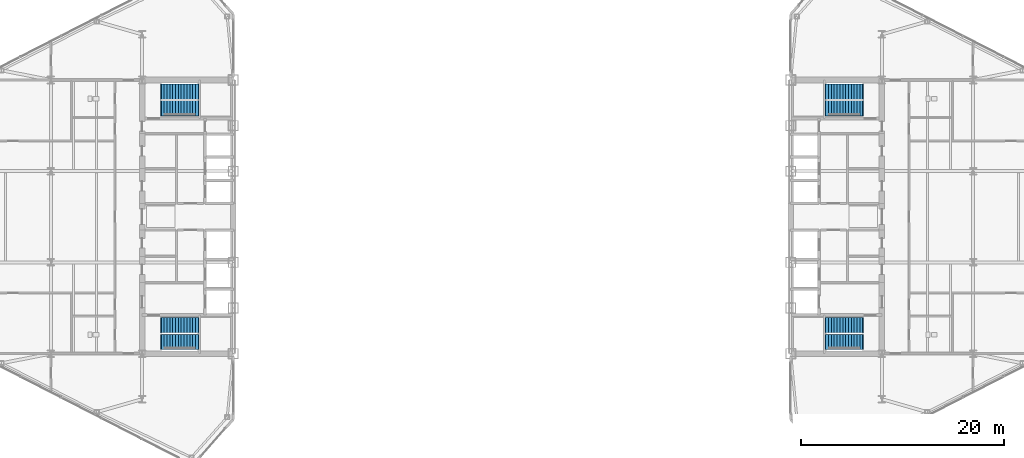
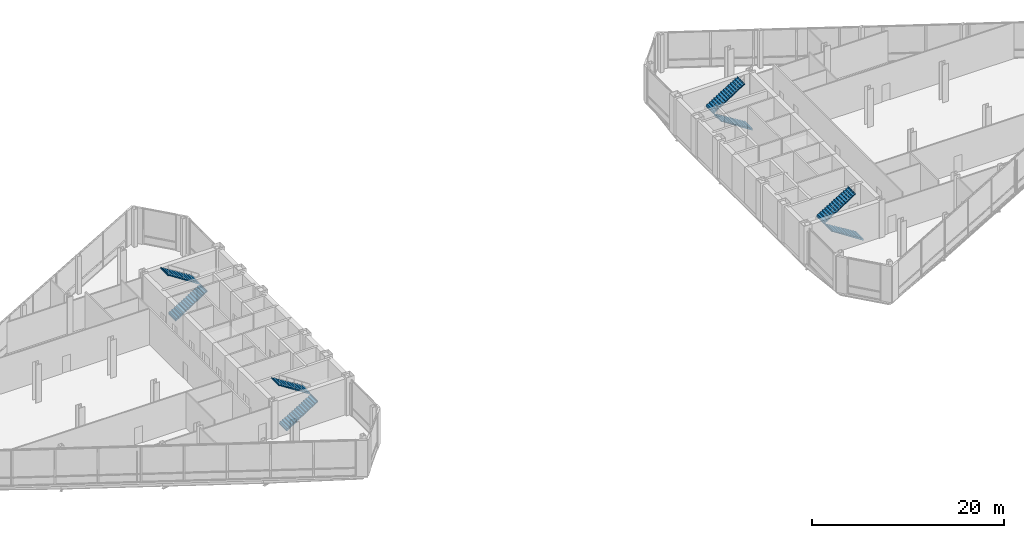
# One storey, part 20 of 22: 8 stair flights, 4 elements without a shape of their own.
"""IFC4 building model written with IfcOpenShell, lengths in metres."""

from ifc_helpers import new_model, si_unit, direction, frame, origin, place, context, subcontext, project, spatial, polyline, outline, extrude, material, type_object, element, aggregate, save


model = new_model("IFC4")

# Units and contexts
model_context = context("Model", 3, precision=1e-05, world=origin(), true_north=direction((0.0, 1.0)))
body_context = subcontext(model_context, "Body", "Model", "MODEL_VIEW")
ifc_project = project(units=[si_unit("LENGTHUNIT", "METRE"), si_unit("AREAUNIT", "SQUARE_METRE"), si_unit("VOLUMEUNIT", "CUBIC_METRE"), si_unit("PLANEANGLEUNIT", "RADIAN"), si_unit("MASSUNIT", "GRAM", prefix="KILO")], contexts=[model_context])

# Site, building, storey
site_placement = place(None, origin())
site = spatial("IfcSite", under=ifc_project, at=site_placement, CompositionType="ELEMENT")
building_placement = place(site_placement, origin())
building = spatial("IfcBuilding", under=site, at=building_placement, Name="Seokmaru Belvedere", CompositionType="ELEMENT")
storey_placement = place(building_placement, frame((0.0, 0.0, 135.60009765625)))
storey = spatial("IfcBuildingStorey", under=building, at=storey_placement, Name="L36", CompositionType="ELEMENT", Elevation=135.60009765625)

# Stair, stair flights
ifc_material = material(Name="Concrete C40 (40 MPa)", Category="concrete")
stair_type = type_object("IfcStairType", Name="Basement Core Dog-Leg Stair 4800", PredefinedType="TWO_STRAIGHT_RUN_STAIR", material=ifc_material)
stair_1_placement = place(storey_placement, origin())
stair_1 = element("IfcStair", 1, at=stair_1_placement, inside=storey, type_object=stair_type, Name="L36 Special Escape Stair ST-W1", PredefinedType="TWO_STRAIGHT_RUN_STAIR")
stair_flight_type = type_object("IfcStairFlightType", Name="Reinforced Concrete Stair Flight 1500", PredefinedType="STRAIGHT", material=ifc_material)
stair_flight_1_placement = place(storey_placement, frame((-34.60009765625, -12.35009765625, 0.0), z_axis=(0.0, 0.0, 1.0), x_axis=(1.0, 0.0, 0.0)))
stair_flight_1 = element("IfcStairFlight", 2, at=stair_flight_1_placement, type_object=stair_flight_type, Name="ST-W1 flight 1", NumberOfRisers=14, NumberOfTreads=13, PredefinedType="STRAIGHT", RiserHeight=0.171428571, TreadLength=0.28, context=body_context, shape_type="SweptSolid", body=[
    extrude(outline(polyline([(-0.080078125, 0.0), (0.0, 0.17138671875), (0.280029296875, 0.17138671875), (0.280029296875, 0.3427734375), (0.56005859375, 0.3427734375), (0.56005859375, 0.514404296875), (0.840087890625, 0.514404296875), (0.840087890625, 0.685791015625), (1.1201171875, 0.685791015625), (1.1201171875, 0.857177734375), (1.39990234375, 0.857177734375), (1.39990234375, 1.028564453125), (1.679931640625, 1.028564453125), (1.679931640625, 1.199951171875), (1.9599609375, 1.199951171875), (1.9599609375, 1.371337890625), (2.239990234375, 1.371337890625), (2.239990234375, 1.54296875), (2.52001953125, 1.54296875), (2.52001953125, 1.71435546875), (2.800048828125, 1.71435546875), (2.800048828125, 1.8857421875), (3.080078125, 1.8857421875), (3.080078125, 2.05712890625), (3.360107421875, 2.05712890625), (3.360107421875, 2.228515625), (3.639892578125, 2.228515625), (3.639892578125, 2.39990234375), (3.719970703125, 2.39990234375), (3.719970703125, 2.2099609375), (3.639892578125, 2.2099609375), (0.0, -0.159912109375), (-0.080078125, -0.159912109375), (-0.080078125, 0.0)])), frame((0.0, 0.75, 0.0), z_axis=(0.0, -1.0, 0.0), x_axis=(1.0, 0.0, 0.0)), (0.0, 0.0, 1.0), 1.5),
])
stair_flight_2_placement = place(storey_placement, frame((-30.9599609375, -10.7099609375, 2.39990234375), z_axis=(0.0, 0.0, 1.0), x_axis=(-1.0, 0.0, 0.0)))
stair_flight_2 = element("IfcStairFlight", 3, at=stair_flight_2_placement, type_object=stair_flight_type, Name="ST-W1 flight 2", NumberOfRisers=14, NumberOfTreads=13, PredefinedType="STRAIGHT", RiserHeight=0.171428571, TreadLength=0.28, context=body_context, shape_type="SweptSolid", body=[
    extrude(outline(polyline([(-0.080078125, 0.0), (0.0, 0.17138671875), (0.280029296875, 0.17138671875), (0.280029296875, 0.3427734375), (0.56005859375, 0.3427734375), (0.56005859375, 0.514404296875), (0.840087890625, 0.514404296875), (0.840087890625, 0.685791015625), (1.1201171875, 0.685791015625), (1.1201171875, 0.857177734375), (1.39990234375, 0.857177734375), (1.39990234375, 1.028564453125), (1.679931640625, 1.028564453125), (1.679931640625, 1.199951171875), (1.9599609375, 1.199951171875), (1.9599609375, 1.371337890625), (2.239990234375, 1.371337890625), (2.239990234375, 1.54296875), (2.52001953125, 1.54296875), (2.52001953125, 1.71435546875), (2.800048828125, 1.71435546875), (2.800048828125, 1.8857421875), (3.080078125, 1.8857421875), (3.080078125, 2.05712890625), (3.360107421875, 2.05712890625), (3.360107421875, 2.228515625), (3.639892578125, 2.228515625), (3.639892578125, 2.39990234375), (3.719970703125, 2.39990234375), (3.719970703125, 2.2099609375), (3.639892578125, 2.2099609375), (0.0, -0.159912109375), (-0.080078125, -0.159912109375), (-0.080078125, 0.0)])), frame((0.0, 0.75, 0.0), z_axis=(0.0, -1.0, 0.0), x_axis=(1.0, 0.0, 0.0)), (0.0, 0.0, 1.0), 1.5),
])
aggregate(stair_1, [stair_flight_1, stair_flight_2])

stair_2_placement = place(storey_placement, origin())
stair_2 = element("IfcStair", 4, at=stair_2_placement, inside=storey, type_object=stair_type, Name="L36 Special Escape Stair ST-W2", PredefinedType="TWO_STRAIGHT_RUN_STAIR")
stair_flight_3_placement = place(storey_placement, frame((-34.60009765625, 10.7099609375, 0.0), z_axis=(0.0, 0.0, 1.0), x_axis=(1.0, 0.0, 0.0)))
stair_flight_3 = element("IfcStairFlight", 5, at=stair_flight_3_placement, type_object=stair_flight_type, Name="ST-W2 flight 1", NumberOfRisers=14, NumberOfTreads=13, PredefinedType="STRAIGHT", RiserHeight=0.171428571, TreadLength=0.28, context=body_context, shape_type="SweptSolid", body=[
    extrude(outline(polyline([(-0.080078125, 0.0), (0.0, 0.17138671875), (0.280029296875, 0.17138671875), (0.280029296875, 0.3427734375), (0.56005859375, 0.3427734375), (0.56005859375, 0.514404296875), (0.840087890625, 0.514404296875), (0.840087890625, 0.685791015625), (1.1201171875, 0.685791015625), (1.1201171875, 0.857177734375), (1.39990234375, 0.857177734375), (1.39990234375, 1.028564453125), (1.679931640625, 1.028564453125), (1.679931640625, 1.199951171875), (1.9599609375, 1.199951171875), (1.9599609375, 1.371337890625), (2.239990234375, 1.371337890625), (2.239990234375, 1.54296875), (2.52001953125, 1.54296875), (2.52001953125, 1.71435546875), (2.800048828125, 1.71435546875), (2.800048828125, 1.8857421875), (3.080078125, 1.8857421875), (3.080078125, 2.05712890625), (3.360107421875, 2.05712890625), (3.360107421875, 2.228515625), (3.639892578125, 2.228515625), (3.639892578125, 2.39990234375), (3.719970703125, 2.39990234375), (3.719970703125, 2.2099609375), (3.639892578125, 2.2099609375), (0.0, -0.159912109375), (-0.080078125, -0.159912109375), (-0.080078125, 0.0)])), frame((0.0, 0.75, 0.0), z_axis=(0.0, -1.0, 0.0), x_axis=(1.0, 0.0, 0.0)), (0.0, 0.0, 1.0), 1.5),
])
stair_flight_4_placement = place(storey_placement, frame((-30.9599609375, 12.35009765625, 2.39990234375), z_axis=(0.0, 0.0, 1.0), x_axis=(-1.0, 0.0, 0.0)))
stair_flight_4 = element("IfcStairFlight", 6, at=stair_flight_4_placement, type_object=stair_flight_type, Name="ST-W2 flight 2", NumberOfRisers=14, NumberOfTreads=13, PredefinedType="STRAIGHT", RiserHeight=0.171428571, TreadLength=0.28, context=body_context, shape_type="SweptSolid", body=[
    extrude(outline(polyline([(-0.080078125, 0.0), (0.0, 0.17138671875), (0.280029296875, 0.17138671875), (0.280029296875, 0.3427734375), (0.56005859375, 0.3427734375), (0.56005859375, 0.514404296875), (0.840087890625, 0.514404296875), (0.840087890625, 0.685791015625), (1.1201171875, 0.685791015625), (1.1201171875, 0.857177734375), (1.39990234375, 0.857177734375), (1.39990234375, 1.028564453125), (1.679931640625, 1.028564453125), (1.679931640625, 1.199951171875), (1.9599609375, 1.199951171875), (1.9599609375, 1.371337890625), (2.239990234375, 1.371337890625), (2.239990234375, 1.54296875), (2.52001953125, 1.54296875), (2.52001953125, 1.71435546875), (2.800048828125, 1.71435546875), (2.800048828125, 1.8857421875), (3.080078125, 1.8857421875), (3.080078125, 2.05712890625), (3.360107421875, 2.05712890625), (3.360107421875, 2.228515625), (3.639892578125, 2.228515625), (3.639892578125, 2.39990234375), (3.719970703125, 2.39990234375), (3.719970703125, 2.2099609375), (3.639892578125, 2.2099609375), (0.0, -0.159912109375), (-0.080078125, -0.159912109375), (-0.080078125, 0.0)])), frame((0.0, 0.75, 0.0), z_axis=(0.0, -1.0, 0.0), x_axis=(1.0, 0.0, 0.0)), (0.0, 0.0, 1.0), 1.5),
])
aggregate(stair_2, [stair_flight_3, stair_flight_4])

stair_3_placement = place(storey_placement, origin())
stair_3 = element("IfcStair", 7, at=stair_3_placement, inside=storey, type_object=stair_type, Name="L36 Special Escape Stair ST-E1", PredefinedType="TWO_STRAIGHT_RUN_STAIR")
stair_flight_5_placement = place(storey_placement, frame((34.60009765625, -12.35009765625, 0.0), z_axis=(0.0, 0.0, 1.0), x_axis=(-1.0, 0.0, 0.0)))
stair_flight_5 = element("IfcStairFlight", 8, at=stair_flight_5_placement, type_object=stair_flight_type, Name="ST-E1 flight 1", NumberOfRisers=14, NumberOfTreads=13, PredefinedType="STRAIGHT", RiserHeight=0.171428571, TreadLength=0.28, context=body_context, shape_type="SweptSolid", body=[
    extrude(outline(polyline([(-0.080078125, 0.0), (0.0, 0.17138671875), (0.280029296875, 0.17138671875), (0.280029296875, 0.3427734375), (0.56005859375, 0.3427734375), (0.56005859375, 0.514404296875), (0.840087890625, 0.514404296875), (0.840087890625, 0.685791015625), (1.1201171875, 0.685791015625), (1.1201171875, 0.857177734375), (1.39990234375, 0.857177734375), (1.39990234375, 1.028564453125), (1.679931640625, 1.028564453125), (1.679931640625, 1.199951171875), (1.9599609375, 1.199951171875), (1.9599609375, 1.371337890625), (2.239990234375, 1.371337890625), (2.239990234375, 1.54296875), (2.52001953125, 1.54296875), (2.52001953125, 1.71435546875), (2.800048828125, 1.71435546875), (2.800048828125, 1.8857421875), (3.080078125, 1.8857421875), (3.080078125, 2.05712890625), (3.360107421875, 2.05712890625), (3.360107421875, 2.228515625), (3.639892578125, 2.228515625), (3.639892578125, 2.39990234375), (3.719970703125, 2.39990234375), (3.719970703125, 2.2099609375), (3.639892578125, 2.2099609375), (0.0, -0.159912109375), (-0.080078125, -0.159912109375), (-0.080078125, 0.0)])), frame((0.0, 0.75, 0.0), z_axis=(0.0, -1.0, 0.0), x_axis=(1.0, 0.0, 0.0)), (0.0, 0.0, 1.0), 1.5),
])
stair_flight_6_placement = place(storey_placement, frame((30.9599609375, -10.7099609375, 2.39990234375), z_axis=(0.0, 0.0, 1.0), x_axis=(1.0, 0.0, 0.0)))
stair_flight_6 = element("IfcStairFlight", 9, at=stair_flight_6_placement, type_object=stair_flight_type, Name="ST-E1 flight 2", NumberOfRisers=14, NumberOfTreads=13, PredefinedType="STRAIGHT", RiserHeight=0.171428571, TreadLength=0.28, context=body_context, shape_type="SweptSolid", body=[
    extrude(outline(polyline([(-0.080078125, 0.0), (0.0, 0.17138671875), (0.280029296875, 0.17138671875), (0.280029296875, 0.3427734375), (0.56005859375, 0.3427734375), (0.56005859375, 0.514404296875), (0.840087890625, 0.514404296875), (0.840087890625, 0.685791015625), (1.1201171875, 0.685791015625), (1.1201171875, 0.857177734375), (1.39990234375, 0.857177734375), (1.39990234375, 1.028564453125), (1.679931640625, 1.028564453125), (1.679931640625, 1.199951171875), (1.9599609375, 1.199951171875), (1.9599609375, 1.371337890625), (2.239990234375, 1.371337890625), (2.239990234375, 1.54296875), (2.52001953125, 1.54296875), (2.52001953125, 1.71435546875), (2.800048828125, 1.71435546875), (2.800048828125, 1.8857421875), (3.080078125, 1.8857421875), (3.080078125, 2.05712890625), (3.360107421875, 2.05712890625), (3.360107421875, 2.228515625), (3.639892578125, 2.228515625), (3.639892578125, 2.39990234375), (3.719970703125, 2.39990234375), (3.719970703125, 2.2099609375), (3.639892578125, 2.2099609375), (0.0, -0.159912109375), (-0.080078125, -0.159912109375), (-0.080078125, 0.0)])), frame((0.0, 0.75, 0.0), z_axis=(0.0, -1.0, 0.0), x_axis=(1.0, 0.0, 0.0)), (0.0, 0.0, 1.0), 1.5),
])
aggregate(stair_3, [stair_flight_5, stair_flight_6])

stair_4_placement = place(storey_placement, origin())
stair_4 = element("IfcStair", 10, at=stair_4_placement, inside=storey, type_object=stair_type, Name="L36 Special Escape Stair ST-E2", PredefinedType="TWO_STRAIGHT_RUN_STAIR")
stair_flight_7_placement = place(storey_placement, frame((34.60009765625, 10.7099609375, 0.0), z_axis=(0.0, 0.0, 1.0), x_axis=(-1.0, 0.0, 0.0)))
stair_flight_7 = element("IfcStairFlight", 11, at=stair_flight_7_placement, type_object=stair_flight_type, Name="ST-E2 flight 1", NumberOfRisers=14, NumberOfTreads=13, PredefinedType="STRAIGHT", RiserHeight=0.171428571, TreadLength=0.28, context=body_context, shape_type="SweptSolid", body=[
    extrude(outline(polyline([(-0.080078125, 0.0), (0.0, 0.17138671875), (0.280029296875, 0.17138671875), (0.280029296875, 0.3427734375), (0.56005859375, 0.3427734375), (0.56005859375, 0.514404296875), (0.840087890625, 0.514404296875), (0.840087890625, 0.685791015625), (1.1201171875, 0.685791015625), (1.1201171875, 0.857177734375), (1.39990234375, 0.857177734375), (1.39990234375, 1.028564453125), (1.679931640625, 1.028564453125), (1.679931640625, 1.199951171875), (1.9599609375, 1.199951171875), (1.9599609375, 1.371337890625), (2.239990234375, 1.371337890625), (2.239990234375, 1.54296875), (2.52001953125, 1.54296875), (2.52001953125, 1.71435546875), (2.800048828125, 1.71435546875), (2.800048828125, 1.8857421875), (3.080078125, 1.8857421875), (3.080078125, 2.05712890625), (3.360107421875, 2.05712890625), (3.360107421875, 2.228515625), (3.639892578125, 2.228515625), (3.639892578125, 2.39990234375), (3.719970703125, 2.39990234375), (3.719970703125, 2.2099609375), (3.639892578125, 2.2099609375), (0.0, -0.159912109375), (-0.080078125, -0.159912109375), (-0.080078125, 0.0)])), frame((0.0, 0.75, 0.0), z_axis=(0.0, -1.0, 0.0), x_axis=(1.0, 0.0, 0.0)), (0.0, 0.0, 1.0), 1.5),
])
stair_flight_8_placement = place(storey_placement, frame((30.9599609375, 12.35009765625, 2.39990234375), z_axis=(0.0, 0.0, 1.0), x_axis=(1.0, 0.0, 0.0)))
stair_flight_8 = element("IfcStairFlight", 12, at=stair_flight_8_placement, type_object=stair_flight_type, Name="ST-E2 flight 2", NumberOfRisers=14, NumberOfTreads=13, PredefinedType="STRAIGHT", RiserHeight=0.171428571, TreadLength=0.28, context=body_context, shape_type="SweptSolid", body=[
    extrude(outline(polyline([(-0.080078125, 0.0), (0.0, 0.17138671875), (0.280029296875, 0.17138671875), (0.280029296875, 0.3427734375), (0.56005859375, 0.3427734375), (0.56005859375, 0.514404296875), (0.840087890625, 0.514404296875), (0.840087890625, 0.685791015625), (1.1201171875, 0.685791015625), (1.1201171875, 0.857177734375), (1.39990234375, 0.857177734375), (1.39990234375, 1.028564453125), (1.679931640625, 1.028564453125), (1.679931640625, 1.199951171875), (1.9599609375, 1.199951171875), (1.9599609375, 1.371337890625), (2.239990234375, 1.371337890625), (2.239990234375, 1.54296875), (2.52001953125, 1.54296875), (2.52001953125, 1.71435546875), (2.800048828125, 1.71435546875), (2.800048828125, 1.8857421875), (3.080078125, 1.8857421875), (3.080078125, 2.05712890625), (3.360107421875, 2.05712890625), (3.360107421875, 2.228515625), (3.639892578125, 2.228515625), (3.639892578125, 2.39990234375), (3.719970703125, 2.39990234375), (3.719970703125, 2.2099609375), (3.639892578125, 2.2099609375), (0.0, -0.159912109375), (-0.080078125, -0.159912109375), (-0.080078125, 0.0)])), frame((0.0, 0.75, 0.0), z_axis=(0.0, -1.0, 0.0), x_axis=(1.0, 0.0, 0.0)), (0.0, 0.0, 1.0), 1.5),
])
aggregate(stair_4, [stair_flight_7, stair_flight_8])

save(model, "model.ifc")
